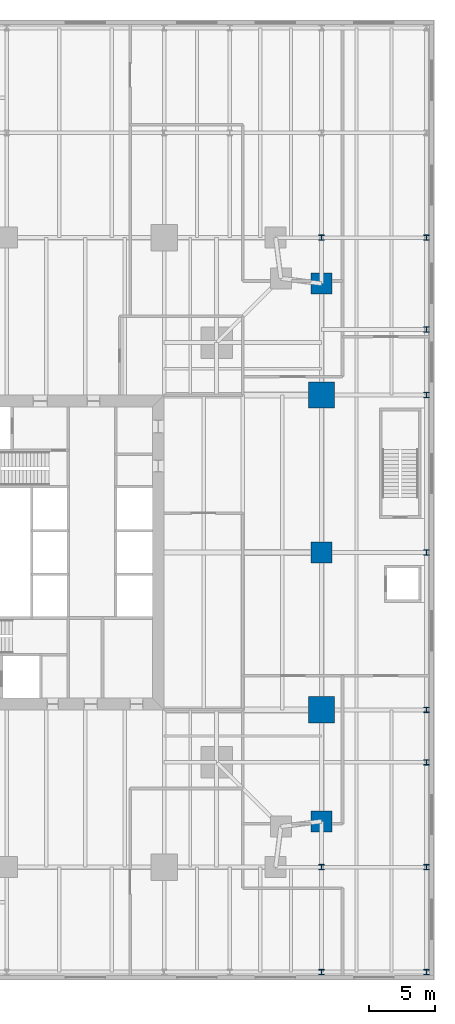
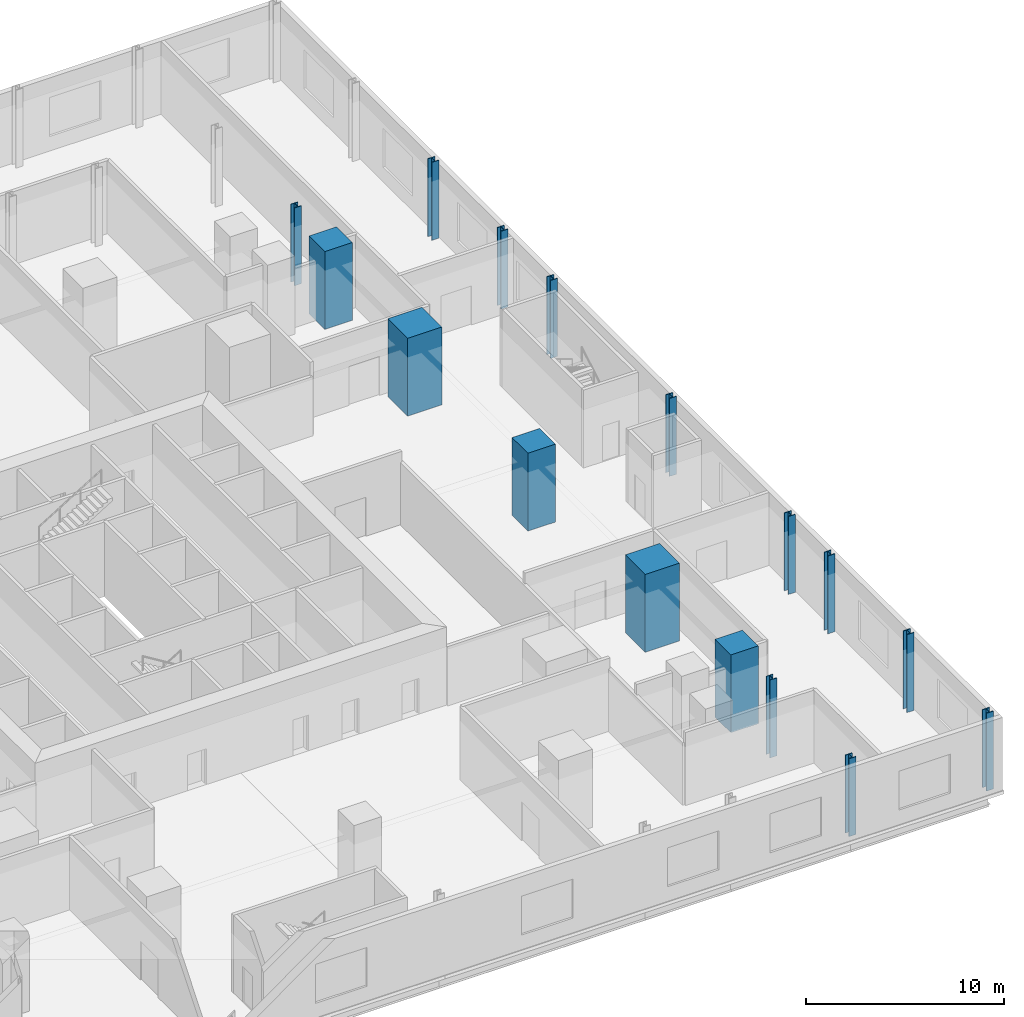
# One storey, part 3 of 16: 16 columns.
"""IFC4 building model written with IfcOpenShell, lengths in metres."""

from ifc_helpers import new_model, si_unit, direction, frame, origin, origin_2d, place, context, subcontext, project, spatial, rectangle, i_section, extrude, material, material_profile, profile_set, type_object, element, save


model = new_model("IFC4")

# Units and contexts
model_context = context("Model", 3, precision=1e-05, world=origin(), true_north=direction((0.0, 1.0)))
body_context = subcontext(model_context, "Body", "Model", "MODEL_VIEW")
ifc_project = project(units=[si_unit("LENGTHUNIT", "METRE"), si_unit("AREAUNIT", "SQUARE_METRE"), si_unit("VOLUMEUNIT", "CUBIC_METRE"), si_unit("PLANEANGLEUNIT", "RADIAN"), si_unit("MASSUNIT", "GRAM", prefix="KILO")], contexts=[model_context])

# Site, building, storey
site_placement = place(None, origin())
site = spatial("IfcSite", under=ifc_project, at=site_placement, CompositionType="ELEMENT")
building_placement = place(site_placement, origin())
building = spatial("IfcBuilding", under=site, at=building_placement, Name="Fenwick Lantern Interchange", CompositionType="ELEMENT")
storey_placement = place(building_placement, frame((0.0, 0.0, 16.60009765625)))
storey = spatial("IfcBuildingStorey", under=building, at=storey_placement, Name="L03", CompositionType="ELEMENT", Elevation=16.60009765625)

# Columns
ifc_material_1 = material(Name="Concrete f'c 70 MPa", Category="concrete")
ifc_material_profile_1 = material_profile(ifc_material_1, rectangle(XDim=1.60009765625, YDim=1.60009765625, at=origin_2d()), Name="RC1600X1600")
ifc_profile_set_1 = profile_set([ifc_material_profile_1], Name="Concrete f'c 70 MPa")
column_type_1 = type_object("IfcColumnType", Name="PERIMETER COLUMN RC1600X1600", PredefinedType="COLUMN", material=ifc_profile_set_1)
for number, where, z_axis, x_axis, name in (
    (1, (49.0, 4.5, 0.0), (0.0, 0.0, 1.0), (1.0, 0.0, 0.0), "L03/CE1"),
    (2, (49.0, 25.0, 0.0), (0.0, 0.0, 1.0), (1.0, 0.0, 0.0), "L03/CE3"),
    (3, (49.0, 45.5, 0.0), (0.0, 0.0, 1.0), (1.0, 0.0, 0.0), "L03/CE5"),
):
    element("IfcColumn", number, at=place(storey_placement, frame(where, z_axis=z_axis, x_axis=x_axis)), inside=storey, type_object=column_type_1, Name=name, PredefinedType="COLUMN", context=body_context, shape_type="SweptSolid", body=[
        extrude(rectangle(XDim=1.60009765625, YDim=1.60009765625, at=origin_2d()), origin(), (0.0, 0.0, 1.0), 4.7998046875),
    ])
ifc_material_profile_2 = material_profile(ifc_material_1, rectangle(XDim=2.0, YDim=2.0, at=origin_2d()), Name="RC2000X2000")
ifc_profile_set_2 = profile_set([ifc_material_profile_2], Name="Concrete f'c 70 MPa")
column_type_2 = type_object("IfcColumnType", Name="PERIMETER COLUMN RC2000X2000", PredefinedType="COLUMN", material=ifc_profile_set_2)
for number, where, z_axis, x_axis, name in (
    (4, (49.0, 13.0, 0.0), (0.0, 0.0, 1.0), (1.0, 0.0, 0.0), "L03/CE2"),
    (5, (49.0, 37.0, 0.0), (0.0, 0.0, 1.0), (1.0, 0.0, 0.0), "L03/CE4"),
):
    element("IfcColumn", number, at=place(storey_placement, frame(where, z_axis=z_axis, x_axis=x_axis)), inside=storey, type_object=column_type_2, Name=name, PredefinedType="COLUMN", context=body_context, shape_type="SweptSolid", body=[
        extrude(rectangle(XDim=2.0, YDim=2.0, at=origin_2d()), origin(), (0.0, 0.0, 1.0), 4.7998046875),
    ])
ifc_material_2 = material(Name="Steel ASTM A992 Grade 50", Category="steel")
ifc_material_profile_3 = material_profile(ifc_material_2, i_section(OverallWidth=0.406494140625, OverallDepth=0.41650390625, WebThickness=0.030029296875, FlangeThickness=0.048095703125, at=origin_2d()), Name="W14X257")
ifc_profile_set_3 = profile_set([ifc_material_profile_3], Name="Steel ASTM A992 Grade 50")
column_type_3 = type_object("IfcColumnType", Name="PODIUM COLUMN W14X257", PredefinedType="COLUMN", material=ifc_profile_set_3)
for number, where, z_axis, x_axis, name in (
    (6, (49.0, -7.0, 0.0), (0.0, 0.0, 1.0), (1.0, 0.0, 0.0), "L03/PB9"),
    (7, (49.0, 1.0, 0.0), (0.0, 0.0, 1.0), (1.0, 0.0, 0.0), "L03/PC9"),
    (8, (49.0, 49.0, 0.0), (0.0, 0.0, 1.0), (1.0, 0.0, 0.0), "L03/PJ9"),
    (9, (57.0, -7.0, 0.0), (0.0, 0.0, 1.0), (1.0, 0.0, 0.0), "L03/PB10"),
    (10, (57.0, 1.0, 0.0), (0.0, 0.0, 1.0), (1.0, 0.0, 0.0), "L03/PC10"),
    (11, (57.0, 9.0, 0.0), (0.0, 0.0, 1.0), (1.0, 0.0, 0.0), "L03/PD10"),
    (12, (57.0, 13.0, 0.0), (0.0, 0.0, 1.0), (1.0, 0.0, 0.0), "L03/PE10"),
    (13, (57.0, 25.0, 0.0), (0.0, 0.0, 1.0), (1.0, 0.0, 0.0), "L03/PF10"),
    (14, (57.0, 37.0, 0.0), (0.0, 0.0, 1.0), (1.0, 0.0, 0.0), "L03/PG10"),
    (15, (57.0, 42.0, 0.0), (0.0, 0.0, 1.0), (1.0, 0.0, 0.0), "L03/PH10"),
    (16, (57.0, 49.0, 0.0), (0.0, 0.0, 1.0), (1.0, 0.0, 0.0), "L03/PJ10"),
):
    element("IfcColumn", number, at=place(storey_placement, frame(where, z_axis=z_axis, x_axis=x_axis)), inside=storey, type_object=column_type_3, Name=name, PredefinedType="COLUMN", context=body_context, shape_type="SweptSolid", body=[
        extrude(i_section(OverallWidth=0.406494140625, OverallDepth=0.41650390625, WebThickness=0.030029296875, FlangeThickness=0.048095703125, at=origin_2d()), origin(), (0.0, 0.0, 1.0), 4.7998046875),
    ])

save(model, "model.ifc")
